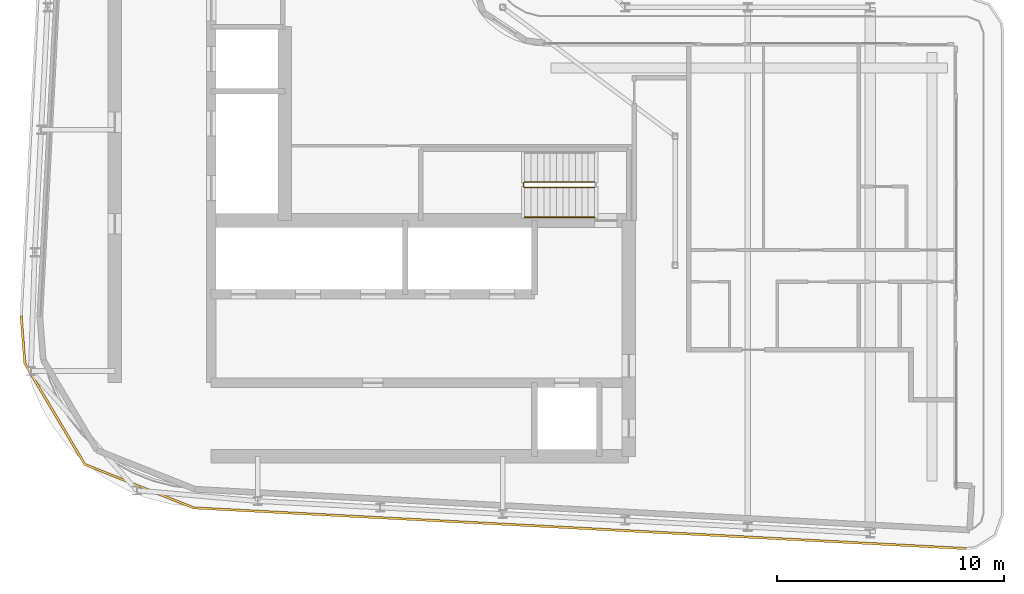
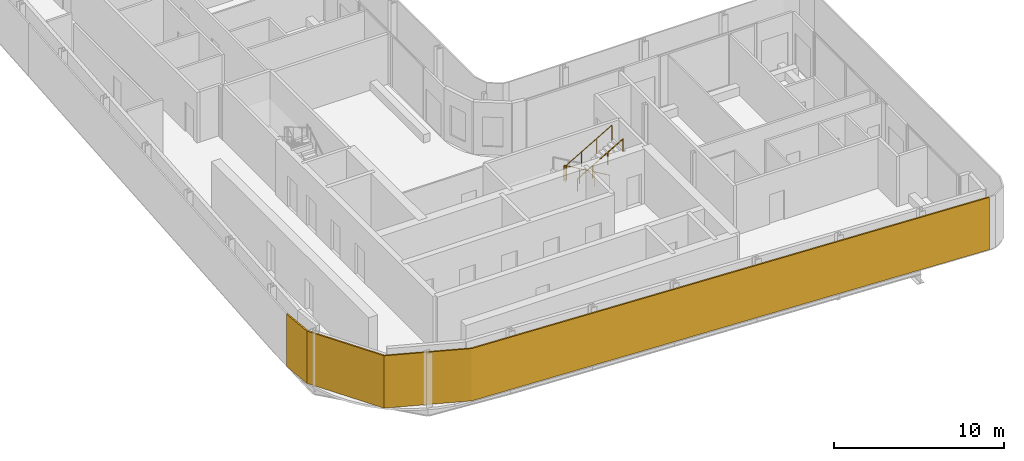
# One storey, part 16 of 21: 2 railings, 1 shading device.
"""IFC4 building model written with IfcOpenShell, lengths in metres."""

from ifc_helpers import new_model, si_unit, direction, frame, origin, origin_2d, place, context, subcontext, project, spatial, polyline, circle, outline, extrude, material, layer, layer_set, type_object, element, save


model = new_model("IFC4")

# Units and contexts
model_context = context("Model", 3, precision=1e-05, world=origin(), true_north=direction((0.0, 1.0)))
body_context = subcontext(model_context, "Body", "Model", "MODEL_VIEW")
ifc_project = project(units=[si_unit("LENGTHUNIT", "METRE"), si_unit("AREAUNIT", "SQUARE_METRE"), si_unit("VOLUMEUNIT", "CUBIC_METRE"), si_unit("PLANEANGLEUNIT", "RADIAN"), si_unit("MASSUNIT", "GRAM", prefix="KILO")], contexts=[model_context])

# Site, building, storey
site_placement = place(None, origin())
site = spatial("IfcSite", under=ifc_project, at=site_placement, CompositionType="ELEMENT")
building_placement = place(site_placement, origin())
building = spatial("IfcBuilding", under=site, at=building_placement, Name="Kheshtan School and Residences Tower", CompositionType="ELEMENT")
storey_placement = place(building_placement, frame((0.0, 0.0, 298.10009765625)))
storey = spatial("IfcBuildingStorey", under=building, at=storey_placement, Name="L70", CompositionType="ELEMENT", Elevation=298.10009765625)

# Shading device
ifc_material_1 = material(Name="Terracotta baguette, extruded ceramic", Category="masonry")
ifc_layer = layer(ifc_material_1, 0.10009765625)
ifc_layer_set = layer_set([ifc_layer], Name="Ledge screen, terracotta baguettes")
shading_device_type = type_object("IfcShadingDeviceType", Name="Ledge screen, terracotta baguettes", PredefinedType="USERDEFINED", material=ifc_layer_set)
shading_device_placement = place(storey_placement, origin())
element("IfcShadingDevice", 1, at=shading_device_placement, inside=storey, type_object=shading_device_type, Name="Screen L70 3", ObjectType="BAGUETTE", PredefinedType="USERDEFINED", context=body_context, shape_type="SweptSolid", body=[
    extrude(outline(polyline([(68.02099609375, 21.7880859375), (33.989013671875, 23.580078125), (29.2119140625, 25.486083984375), (26.583984375, 29.906982421875), (26.419921875, 31.989013671875), (26.320068359375, 31.98095703125), (26.486083984375, 29.8759765625), (29.14306640625, 25.406005859375), (33.967041015625, 23.48095703125), (68.01611328125, 21.68798828125), (68.02099609375, 21.7880859375)])), origin(), (0.0, 0.0, 1.0), 3.75),
])

# Railings
ifc_material_2 = material(Name="Stainless steel balustrade", Category="steel")
railing_type_1 = type_object("IfcRailingType", Name="Stair guard 1100", PredefinedType="GUARDRAIL", material=ifc_material_2)
railing_1_placement = place(storey_placement, frame((51.64990234375, 37.89990234375, 0.162353515625)))
element("IfcRailing", 2, at=railing_1_placement, inside=storey, type_object=railing_type_1, Name="L70 ST1 stair guard 1", PredefinedType="GUARDRAIL", context=body_context, shape_type="SweptSolid", body=[
    extrude(circle(Radius=0.02392578125, at=origin_2d()), frame((0.0, 0.0, 1.076171875), z_axis=(-0.864873446163, 0.0, 0.501989962173), x_axis=(0.0, -1.0, 0.0)), (0.0, 0.0, 1.0), 3.56103515625),
    extrude(circle(Radius=0.02392578125, at=origin_2d()), frame((-3.079833984375, 0.0, 2.86376953125), z_axis=(-0.708833529934, -0.705375805398, 0.0), x_axis=(0.705375805398, -0.708833529934, 0.0)), (0.0, 0.0, 1.0), 0.070556640625),
    extrude(circle(Radius=0.02392578125, at=origin_2d()), frame((-3.1298828125, -0.0498046875, 2.86376953125), z_axis=(0.0, -1.0, 0.0), x_axis=(1.0, 0.0, 0.0)), (0.0, 0.0, 1.0), 0.150146484375),
    extrude(circle(Radius=0.02392578125, at=origin_2d()), frame((-3.1298828125, -0.199951171875, 2.86376953125), z_axis=(0.282583949758, -0.282583949758, 0.916674763849), x_axis=(0.707106781187, 0.707106781187, 0.0)), (0.0, 0.0, 1.0), 0.177001953125),
    extrude(circle(Radius=0.02392578125, at=origin_2d()), frame((-3.079833984375, -0.25, 3.02587890625), z_axis=(0.864873446163, 0.0, 0.501989962173), x_axis=(0.0, 1.0, 0.0)), (0.0, 0.0, 1.0), 3.56103515625),
    extrude(circle(Radius=0.02099609375, at=origin_2d()), origin(), (0.0, 0.0, 1.0), 1.052001953125),
    extrude(circle(Radius=0.02099609375, at=origin_2d()), frame((-1.026611328125, 0.0, 0.595947265625)), (0.0, 0.0, 1.0), 1.052001953125),
    extrude(circle(Radius=0.02099609375, at=origin_2d()), frame((-2.05322265625, 0.0, 1.191650390625)), (0.0, 0.0, 1.0), 1.052001953125),
    extrude(circle(Radius=0.02099609375, at=origin_2d()), frame((-3.079833984375, 0.0, 1.78759765625)), (0.0, 0.0, 1.0), 1.052001953125),
    extrude(circle(Radius=0.02099609375, at=origin_2d()), frame((-3.1298828125, -0.0498046875, 1.78759765625)), (0.0, 0.0, 1.0), 1.052001953125),
    extrude(circle(Radius=0.02099609375, at=origin_2d()), frame((-3.1298828125, -0.199951171875, 1.78759765625)), (0.0, 0.0, 1.0), 1.052001953125),
    extrude(circle(Radius=0.02099609375, at=origin_2d()), frame((-3.079833984375, -0.25, 1.949951171875)), (0.0, 0.0, 1.0), 1.052001953125),
    extrude(circle(Radius=0.02099609375, at=origin_2d()), frame((-2.05322265625, -0.25, 2.5458984375)), (0.0, 0.0, 1.0), 1.052001953125),
    extrude(circle(Radius=0.02099609375, at=origin_2d()), frame((-1.026611328125, -0.25, 3.1416015625)), (0.0, 0.0, 1.0), 1.052001953125),
    extrude(circle(Radius=0.02099609375, at=origin_2d()), frame((0.0, -0.25, 3.737548828125)), (0.0, 0.0, 1.0), 1.052001953125),
])
ifc_material_3 = material(Name="Stainless steel handrail", Category="steel")
railing_type_2 = type_object("IfcRailingType", Name="Stair handrail 900", PredefinedType="HANDRAIL", material=ifc_material_3)
railing_2_placement = place(storey_placement, frame((48.570068359375, 36.35009765625, 2.1123046875)))
element("IfcRailing", 3, at=railing_2_placement, inside=storey, type_object=railing_type_2, Name="L70 ST1 stair handrail 2", PredefinedType="HANDRAIL", context=body_context, shape_type="SweptSolid", body=[
    extrude(circle(Radius=0.02392578125, at=origin_2d()), frame((0.0, 0.0, 0.8759765625), z_axis=(0.864873446163, 0.0, 0.501989962173), x_axis=(0.0, 1.0, 0.0)), (0.0, 0.0, 1.0), 3.56103515625),
    extrude(circle(Radius=0.02099609375, at=origin_2d()), origin(), (0.0, 0.0, 1.0), 0.851806640625),
    extrude(circle(Radius=0.02099609375, at=origin_2d()), frame((1.026611328125, 0.0, 0.595947265625)), (0.0, 0.0, 1.0), 0.851806640625),
    extrude(circle(Radius=0.02099609375, at=origin_2d()), frame((2.05322265625, 0.0, 1.191650390625)), (0.0, 0.0, 1.0), 0.851806640625),
    extrude(circle(Radius=0.02099609375, at=origin_2d()), frame((3.079833984375, 0.0, 1.78759765625)), (0.0, 0.0, 1.0), 0.851806640625),
])

save(model, "model.ifc")
